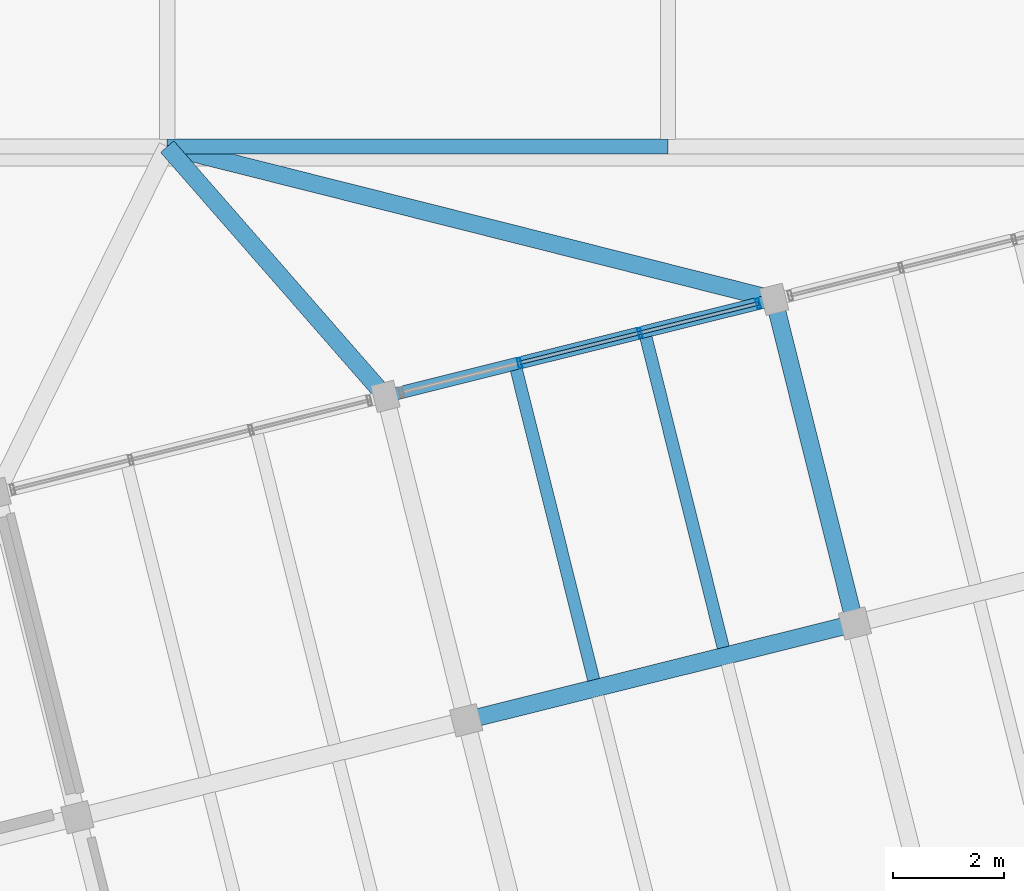
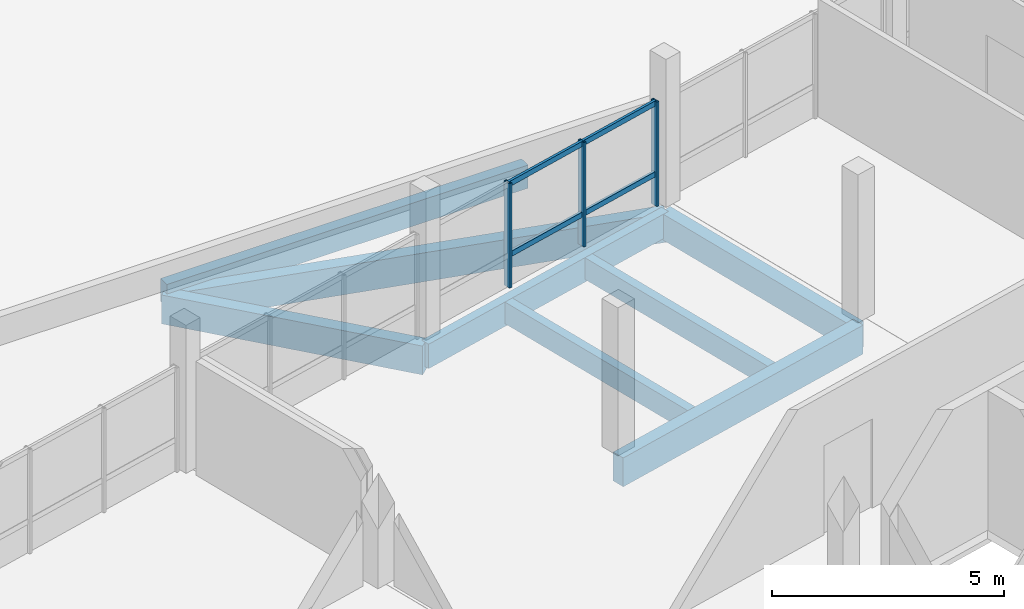
# One storey, part 24 of 37: 8 beams, 7 members, 1 element without a shape of its own.
"""IFC4 building model written with IfcOpenShell, lengths in metres."""

from ifc_helpers import new_model, si_unit, direction, frame, origin, origin_2d, place, context, subcontext, project, spatial, rectangle, hollow_rectangle, extrude, material, layer, layer_set, material_profile, profile_set, type_object, element, aggregate, save


model = new_model("IFC4")

# Units and contexts
model_context = context("Model", 3, precision=1e-05, world=origin(), true_north=direction((0.0, 1.0)))
body_context = subcontext(model_context, "Body", "Model", "MODEL_VIEW")
ifc_project = project(units=[si_unit("LENGTHUNIT", "METRE"), si_unit("AREAUNIT", "SQUARE_METRE"), si_unit("VOLUMEUNIT", "CUBIC_METRE"), si_unit("PLANEANGLEUNIT", "RADIAN"), si_unit("MASSUNIT", "GRAM", prefix="KILO")], contexts=[model_context])

# Site, building, storey
site_placement = place(None, origin())
site = spatial("IfcSite", under=ifc_project, at=site_placement, CompositionType="ELEMENT")
building_placement = place(site_placement, origin())
building = spatial("IfcBuilding", under=site, at=building_placement, Name="Meriwether Solvik Hall", CompositionType="ELEMENT")
storey_placement = place(building_placement, frame((0.0, 0.0, 26.10009765625)))
storey = spatial("IfcBuildingStorey", under=building, at=storey_placement, Name="L06", CompositionType="ELEMENT", Elevation=26.10009765625)

# Beams
ifc_material_1 = material(Name="Glulam Douglas-Fir 24F-V8 GL28h", Category="wood")
ifc_material_profile_1 = material_profile(ifc_material_1, rectangle(XDim=0.221923828125, YDim=0.64501953125, at=origin_2d()), Name="GLB-222X645")
ifc_profile_set_1 = profile_set([ifc_material_profile_1], Name="Glulam Douglas-Fir 24F-V8 GL28h")
beam_type_1 = type_object("IfcBeamType", Name="BM-GL-222X645", PredefinedType="SPANDREL", material=ifc_profile_set_1)
beam_1_placement = place(storey_placement, frame((81.72119140625, 79.512451171875, -0.592529296875), z_axis=(0.970299871507, 0.241905269381, 0.0), x_axis=(-0.241905269381, 0.970299871507, 0.0)))
element("IfcBeam", 1, at=beam_1_placement, inside=storey, type_object=beam_type_1, Name="Tower Girder TF:T4-T5 (L06)", PredefinedType="SPANDREL", context=body_context, shape_type="SweptSolid", body=[
    extrude(rectangle(XDim=0.221923828125, YDim=0.64501953125, at=origin_2d()), origin(), (0.0, 0.0, 1.0), 7.199951171875),
])
ifc_material_2 = material(Name="Glulam Douglas-Fir 24F-V8 GL28h", Category="wood")
ifc_material_profile_2 = material_profile(ifc_material_2, rectangle(XDim=0.27294921875, YDim=0.610107421875, at=origin_2d()), Name="GLB-273X610")
ifc_profile_set_2 = profile_set([ifc_material_profile_2], Name="Glulam Douglas-Fir 24F-V8 GL28h")
beam_type_2 = type_object("IfcBeamType", Name="BM-GL-273X610", PredefinedType="SPANDREL", material=ifc_profile_set_2)
beam_2_placement = place(storey_placement, frame((77.800048828125, 84.0, -0.323974609375), z_axis=(1.0, 0.0, 0.0), x_axis=(0.0, 1.0, 0.0)))
element("IfcBeam", 2, at=beam_2_placement, inside=storey, type_object=beam_type_2, Name="Roof Tie Beam J:9-10 (L06)", PredefinedType="SPANDREL", context=body_context, shape_type="SweptSolid", body=[
    extrude(rectangle(XDim=0.27294921875, YDim=0.610107421875, at=origin_2d()), origin(), (0.0, 0.0, 1.0), 9.0),
])
ifc_material_3 = material(Name="Glulam Douglas-Fir 24F-V8 GL28h", Category="wood")
ifc_material_profile_3 = material_profile(ifc_material_3, rectangle(XDim=0.31494140625, YDim=0.68505859375, at=origin_2d()), Name="GLB-315X685")
ifc_profile_set_3 = profile_set([ifc_material_profile_3], Name="Glulam Douglas-Fir 24F-V8 GL28h")
beam_type_3 = type_object("IfcBeamType", Name="BM-GL-315X685", PredefinedType="BEAM", material=ifc_profile_set_3)
beam_3_placement = place(storey_placement, frame((90.158935546875, 75.432373046875, -0.612548828125), z_axis=(-0.241941986192, 0.970290716908, 0.0), x_axis=(-0.970290716908, -0.241941986192, 0.0)))
element("IfcBeam", 3, at=beam_3_placement, inside=storey, type_object=beam_type_3, Name="Tower Girder T5:TE-TF (L06)", PredefinedType="BEAM", context=body_context, shape_type="SweptSolid", body=[
    extrude(rectangle(XDim=0.31494140625, YDim=0.68505859375, at=origin_2d()), origin(), (0.0, 0.0, 1.0), 6.0),
])
ifc_material_4 = material(Name="Glulam Douglas-Fir 24F-V8 GL28h", Category="wood")
ifc_material_profile_4 = material_profile(ifc_material_4, rectangle(XDim=0.31494140625, YDim=0.760009765625, at=origin_2d()), Name="GLB-315X760")
ifc_profile_set_4 = profile_set([ifc_material_profile_4], Name="Glulam Douglas-Fir 24F-V8 GL28h")
beam_type_4 = type_object("IfcBeamType", Name="BM-GL-315X760", PredefinedType="BEAM", material=ifc_profile_set_4)
beam_4_placement = place(storey_placement, frame((81.72119140625, 79.512451171875, -0.650146484375), z_axis=(-0.657985282871, 0.7530307879, 0.0), x_axis=(-0.7530307879, -0.657985282871, 0.0)))
element("IfcBeam", 4, at=beam_4_placement, inside=storey, type_object=beam_type_4, Name="Diaphragm Collector Girder T4/TF-9/J (L06)", PredefinedType="BEAM", context=body_context, shape_type="SweptSolid", body=[
    extrude(rectangle(XDim=0.31494140625, YDim=0.760009765625, at=origin_2d()), origin(), (0.0, 0.0, 1.0), 5.959228515625),
])
beam_5_placement = place(storey_placement, frame((88.707275390625, 81.254150390625, -0.650146484375), z_axis=(-0.969742820247, 0.244128782776, 0.0), x_axis=(-0.244128782776, -0.969742820247, 0.0)))
element("IfcBeam", 5, at=beam_5_placement, inside=storey, type_object=beam_type_4, Name="Diaphragm Collector Girder T5/TF-9/J (L06)", PredefinedType="BEAM", context=body_context, shape_type="SweptSolid", body=[
    extrude(rectangle(XDim=0.31494140625, YDim=0.760009765625, at=origin_2d()), origin(), (0.0, 0.0, 1.0), 11.24755859375),
])
beam_6_placement = place(storey_placement, frame((83.172607421875, 73.690673828125, -0.60009765625), z_axis=(0.970301855688, 0.241897310542, 0.0), x_axis=(-0.241897310542, 0.970301855688, 0.0)))
element("IfcBeam", 6, at=beam_6_placement, inside=storey, type_object=beam_type_4, Name="Tower Girder TE:T4-T5 (L06)", PredefinedType="BEAM", context=body_context, shape_type="SweptSolid", body=[
    extrude(rectangle(XDim=0.31494140625, YDim=0.760009765625, at=origin_2d()), origin(), (0.0, 0.0, 1.0), 7.2001953125),
])

# Curtain wall, members
ifc_material_5 = material(Name="Thermally Broken Anodised Aluminium 6063-T6 and Low-E Glass", Category="aluminium")
ifc_layer = layer(ifc_material_5, 0.179931640625)
ifc_layer_set = layer_set([ifc_layer], Name="Thermally Broken Anodised Aluminium 6063-T6 and Low-E Glass")
curtain_wall_type = type_object("IfcCurtainWallType", Name="CW-UNIT-D", PredefinedType="USERDEFINED", material=ifc_layer_set)
curtain_wall_placement = place(storey_placement, origin())
curtain_wall = element("IfcCurtainWall", 7, at=curtain_wall_placement, inside=storey, type_object=curtain_wall_type, Name="Curtain Wall E4_B3 (L06)", ObjectType="UNITISED CURTAIN WALL", PredefinedType="USERDEFINED")
ifc_material_6 = material(Name="Anodised Aluminium 6063-T6", Category="aluminium")
ifc_material_profile_5 = material_profile(ifc_material_6, hollow_rectangle(XDim=0.06494140625, YDim=0.179931640625, WallThickness=0.00439453125, at=origin_2d()), Name="CWM-65X180")
ifc_profile_set_5 = profile_set([ifc_material_profile_5], Name="Anodised Aluminium 6063-T6")
member_type_1 = type_object("IfcMemberType", Name="CW-MUL-65X180", PredefinedType="MULLION", material=ifc_profile_set_5)
member_1_placement = place(storey_placement, frame((84.1337890625, 80.11376953125, 0.0), z_axis=(0.0, 0.0, 1.0), x_axis=(0.970295734974, 0.241921860714, 0.0)))
member_1 = element("IfcMember", 8, at=member_1_placement, type_object=member_type_1, Name="Curtain Wall Mullion 2", PredefinedType="MULLION", context=body_context, shape_type="SweptSolid", body=[
    extrude(hollow_rectangle(XDim=0.06494140625, YDim=0.179931640625, WallThickness=0.00439453125, at=origin_2d()), origin(), (0.0, 0.0, 1.0), 2.75),
])
member_2_placement = place(storey_placement, frame((86.294677734375, 80.652587890625, 0.0), z_axis=(0.0, 0.0, 1.0), x_axis=(0.970295734974, 0.241921860714, 0.0)))
member_2 = element("IfcMember", 9, at=member_2_placement, type_object=member_type_1, Name="Curtain Wall Mullion 3", PredefinedType="MULLION", context=body_context, shape_type="SweptSolid", body=[
    extrude(hollow_rectangle(XDim=0.06494140625, YDim=0.179931640625, WallThickness=0.00439453125, at=origin_2d()), origin(), (0.0, 0.0, 1.0), 2.75),
])
member_3_placement = place(storey_placement, frame((88.418701171875, 81.18212890625, 0.0), z_axis=(0.0, 0.0, 1.0), x_axis=(0.970295734974, 0.241921860714, 0.0)))
member_3 = element("IfcMember", 10, at=member_3_placement, type_object=member_type_1, Name="Curtain Wall Mullion 4", PredefinedType="MULLION", context=body_context, shape_type="SweptSolid", body=[
    extrude(hollow_rectangle(XDim=0.06494140625, YDim=0.179931640625, WallThickness=0.00439453125, at=origin_2d()), origin(), (0.0, 0.0, 1.0), 2.75),
])
ifc_material_7 = material(Name="Anodised Aluminium 6063-T6", Category="aluminium")
ifc_material_profile_6 = material_profile(ifc_material_7, hollow_rectangle(XDim=0.06494140625, YDim=0.139892578125, WallThickness=0.00439453125, at=origin_2d()), Name="CWT-65X140")
ifc_profile_set_6 = profile_set([ifc_material_profile_6], Name="Anodised Aluminium 6063-T6")
member_type_2 = type_object("IfcMemberType", Name="CW-TRN-65X140", PredefinedType="USERDEFINED", material=ifc_profile_set_6)
member_4_placement = place(storey_placement, frame((84.1337890625, 80.11376953125, 0.824951171875), z_axis=(0.970290634888, 0.241942315128, 0.0), x_axis=(-0.241942315128, 0.970290634888, 0.0)))
member_4 = element("IfcMember", 11, at=member_4_placement, type_object=member_type_2, Name="Curtain Wall Transom 2-sill", ObjectType="TRANSOM", PredefinedType="USERDEFINED", context=body_context, shape_type="SweptSolid", body=[
    extrude(hollow_rectangle(XDim=0.06494140625, YDim=0.139892578125, WallThickness=0.00439453125, at=origin_2d()), origin(), (0.0, 0.0, 1.0), 2.22705078125),
])
member_5_placement = place(storey_placement, frame((84.1337890625, 80.11376953125, 2.68994140625), z_axis=(0.970290634888, 0.241942315128, 0.0), x_axis=(-0.241942315128, 0.970290634888, 0.0)))
member_5 = element("IfcMember", 12, at=member_5_placement, type_object=member_type_2, Name="Curtain Wall Transom 2-head", ObjectType="TRANSOM", PredefinedType="USERDEFINED", context=body_context, shape_type="SweptSolid", body=[
    extrude(hollow_rectangle(XDim=0.06494140625, YDim=0.139892578125, WallThickness=0.00439453125, at=origin_2d()), origin(), (0.0, 0.0, 1.0), 2.22705078125),
])
member_6_placement = place(storey_placement, frame((86.294677734375, 80.652587890625, 0.824951171875), z_axis=(0.970299748003, 0.241905764761, 0.0), x_axis=(-0.241905764761, 0.970299748003, 0.0)))
member_6 = element("IfcMember", 13, at=member_6_placement, type_object=member_type_2, Name="Curtain Wall Transom 3-sill", ObjectType="TRANSOM", PredefinedType="USERDEFINED", context=body_context, shape_type="SweptSolid", body=[
    extrude(hollow_rectangle(XDim=0.06494140625, YDim=0.139892578125, WallThickness=0.00439453125, at=origin_2d()), origin(), (0.0, 0.0, 1.0), 2.18896484375),
])
member_7_placement = place(storey_placement, frame((86.294677734375, 80.652587890625, 2.68994140625), z_axis=(0.970299748003, 0.241905764761, 0.0), x_axis=(-0.241905764761, 0.970299748003, 0.0)))
member_7 = element("IfcMember", 14, at=member_7_placement, type_object=member_type_2, Name="Curtain Wall Transom 3-head", ObjectType="TRANSOM", PredefinedType="USERDEFINED", context=body_context, shape_type="SweptSolid", body=[
    extrude(hollow_rectangle(XDim=0.06494140625, YDim=0.139892578125, WallThickness=0.00439453125, at=origin_2d()), origin(), (0.0, 0.0, 1.0), 2.18896484375),
])
aggregate(curtain_wall, [member_1, member_2, member_3, member_4, member_5, member_6, member_7])

# Beams
ifc_material_8 = material(Name="Glulam Douglas-Fir 24F-V8 GL28h", Category="wood")
ifc_material_profile_7 = material_profile(ifc_material_8, rectangle(XDim=0.221923828125, YDim=0.570068359375, at=origin_2d()), Name="GLJ-222X570")
ifc_profile_set_7 = profile_set([ifc_material_profile_7], Name="Glulam Douglas-Fir 24F-V8 GL28h")
beam_type_5 = type_object("IfcBeamType", Name="JST-GL-222X570", PredefinedType="JOIST", material=ifc_profile_set_7)
for number, where, z_axis, x_axis, name in (
    (15, (85.464599609375, 74.419189453125, -0.55517578125), (-0.241955269204, 0.970287404692, 0.0), (-0.970287404692, -0.241955269204, 0.0), "Glulam Floor Joist T4/TE-J1 (L06)"),
    (16, (87.793212890625, 74.999755859375, -0.55517578125), (-0.241905253991, 0.970299875343, 0.0), (-0.970299875343, -0.241905253991, 0.0), "Glulam Floor Joist T4/TE-J2 (L06)"),
):
    element("IfcBeam", number, at=place(storey_placement, frame(where, z_axis=z_axis, x_axis=x_axis)), inside=storey, type_object=beam_type_5, Name=name, PredefinedType="JOIST", context=body_context, shape_type="SweptSolid", body=[
        extrude(rectangle(XDim=0.221923828125, YDim=0.570068359375, at=origin_2d()), origin(), (0.0, 0.0, 1.0), 5.741455078125),
    ])

save(model, "model.ifc")
